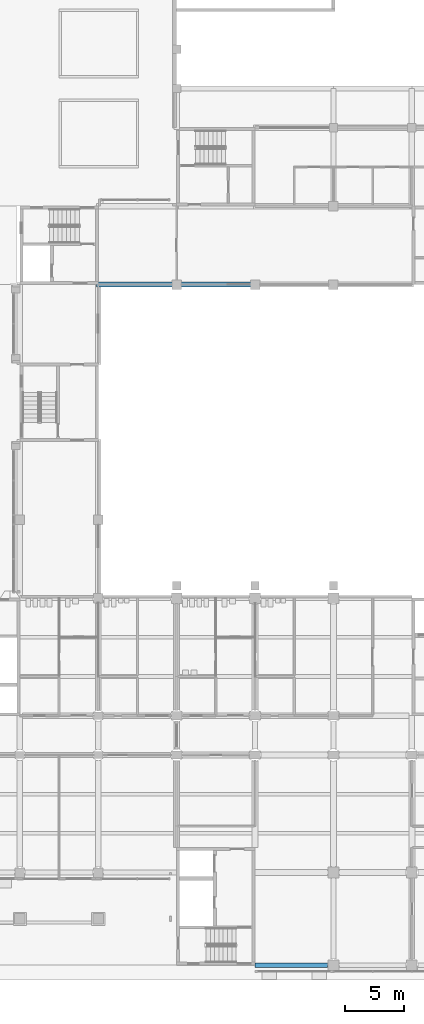
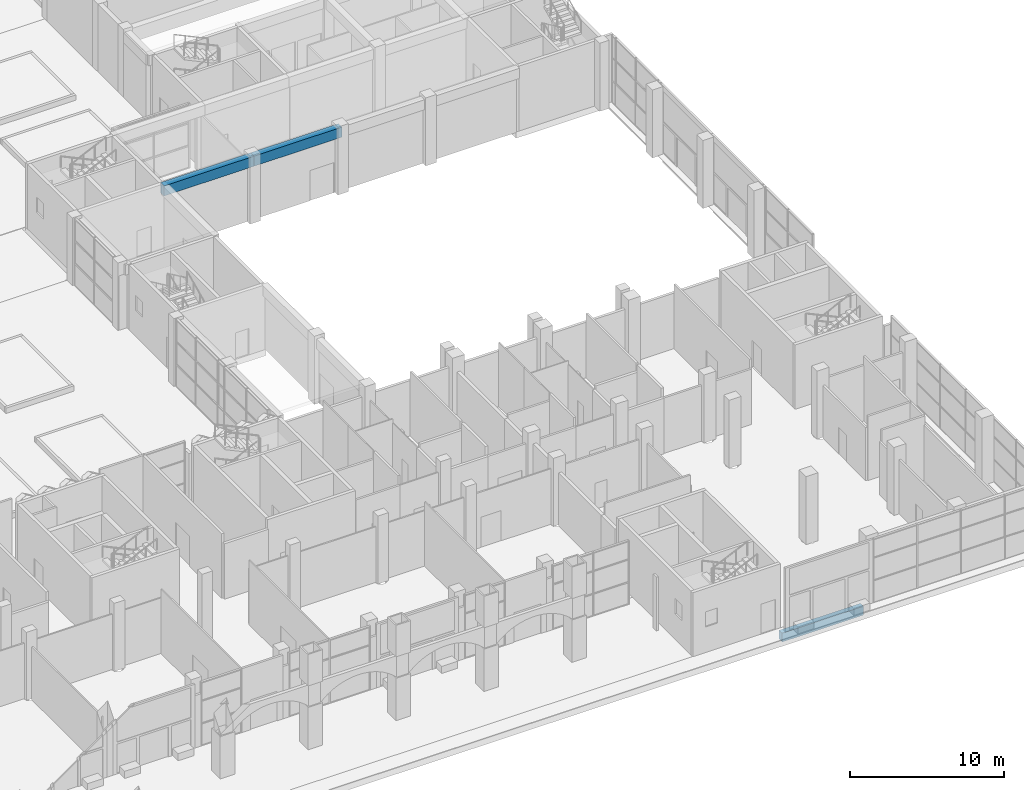
# One storey, part 9 of 85: 3 beams.
"""IFC4 building model written with IfcOpenShell, lengths in metres."""

from ifc_helpers import new_model, si_unit, direction, frame, origin, origin_2d, place, context, subcontext, project, spatial, rectangle, extrude, material, material_profile, profile_set, type_object, element, save


model = new_model("IFC4")

# Units and contexts
model_context = context("Model", 3, precision=1e-05, world=origin(), true_north=direction((0.0, 1.0)))
body_context = subcontext(model_context, "Body", "Model", "MODEL_VIEW")
ifc_project = project(units=[si_unit("LENGTHUNIT", "METRE"), si_unit("AREAUNIT", "SQUARE_METRE"), si_unit("VOLUMEUNIT", "CUBIC_METRE"), si_unit("PLANEANGLEUNIT", "RADIAN"), si_unit("MASSUNIT", "GRAM", prefix="KILO")], contexts=[model_context])

# Site, building, storey
site_placement = place(None, origin())
site = spatial("IfcSite", under=ifc_project, at=site_placement, CompositionType="ELEMENT")
building_placement = place(site_placement, origin())
building = spatial("IfcBuilding", under=site, at=building_placement, Name="Lantern Court Research Institute", CompositionType="ELEMENT")
storey_placement = place(building_placement, origin())
storey = spatial("IfcBuildingStorey", under=building, at=storey_placement, Name="L00", CompositionType="ELEMENT", Elevation=0.0)

# Beams
ifc_material_1 = material(Name="Concrete C40/50", Category="concrete")
ifc_material_profile_1 = material_profile(ifc_material_1, rectangle(XDim=0.449951171875, YDim=0.800048828125, at=origin_2d()), Name="Hall beam 450 x 800")
ifc_profile_set_1 = profile_set([ifc_material_profile_1], Name="Concrete C40/50")
beam_type_1 = type_object("IfcBeamType", Name="Hall beam 450 x 800", PredefinedType="BEAM", material=ifc_profile_set_1)
beam_1_placement = place(storey_placement, frame((46.050048828125, 49.5, 4.75), z_axis=(1.0, 0.0, 0.0), x_axis=(0.0, 1.0, 0.0)))
element("IfcBeam", 1, at=beam_1_placement, inside=storey, type_object=beam_type_1, Name="Gallery beam L01", PredefinedType="BEAM", context=body_context, shape_type="SweptSolid", body=[
    extrude(rectangle(XDim=0.449951171875, YDim=0.800048828125, at=origin_2d()), origin(), (0.0, 0.0, 1.0), 6.75),
])
beam_2_placement = place(storey_placement, frame((52.800048828125, 49.5, 4.75), z_axis=(1.0, 0.0, 0.0), x_axis=(0.0, 1.0, 0.0)))
element("IfcBeam", 2, at=beam_2_placement, inside=storey, type_object=beam_type_1, Name="Gallery beam L01", PredefinedType="BEAM", context=body_context, shape_type="SweptSolid", body=[
    extrude(rectangle(XDim=0.449951171875, YDim=0.800048828125, at=origin_2d()), origin(), (0.0, 0.0, 1.0), 6.599853515625),
])
ifc_material_2 = material(Name="Concrete C40/50", Category="concrete")
ifc_material_profile_2 = material_profile(ifc_material_2, rectangle(XDim=0.39990234375, YDim=0.699951171875, at=origin_2d()), Name="RC beam 400 x 700")
ifc_profile_set_2 = profile_set([ifc_material_profile_2], Name="Concrete C40/50")
beam_type_2 = type_object("IfcBeamType", Name="RC edge beam 400 x 700", PredefinedType="BEAM", material=ifc_profile_set_2)
beam_3_placement = place(storey_placement, frame((59.39990234375, -7.800048828125, -0.64990234375), z_axis=(1.0, 0.0, 0.0), x_axis=(0.0, 1.0, 0.0)))
element("IfcBeam", 3, at=beam_3_placement, inside=storey, type_object=beam_type_2, Name="Edge beam L00 grid Z/10-11", PredefinedType="BEAM", context=body_context, shape_type="SweptSolid", body=[
    extrude(rectangle(XDim=0.39990234375, YDim=0.699951171875, at=origin_2d()), origin(), (0.0, 0.0, 1.0), 6.10009765625),
])

save(model, "model.ifc")
